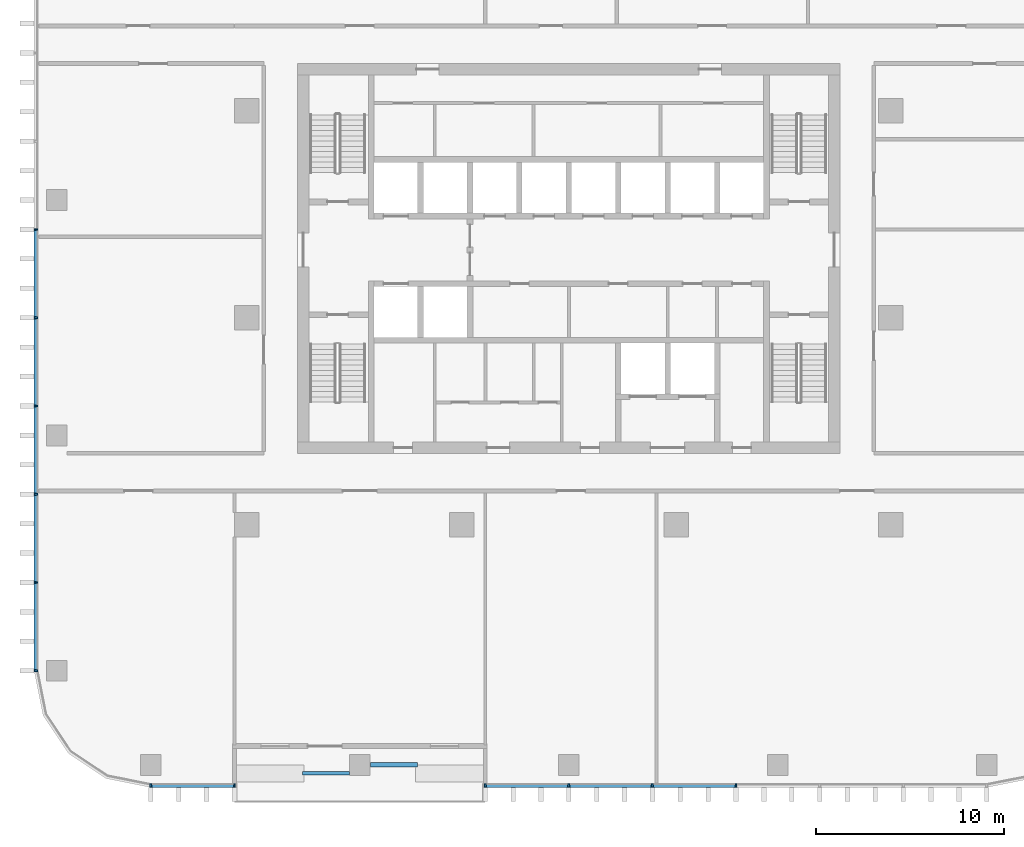
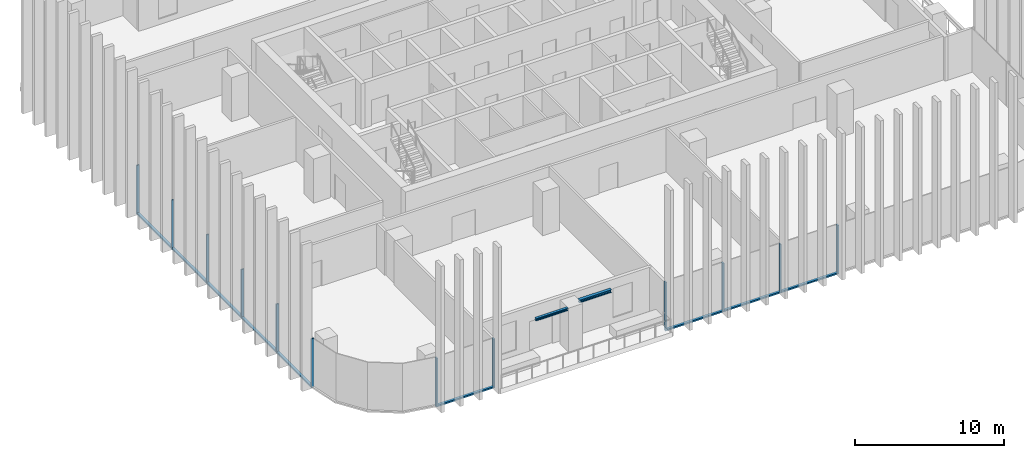
# One storey, part 2 of 15: 21 members, 2 beams, 3 elements without a shape of their own.
"""IFC4 building model written with IfcOpenShell, lengths in metres."""

import ifcopenshell
import ifcopenshell.guid

model = None  # the IFC model being written
_history = None  # IfcOwnerHistory: only IFC2X3 demands one
_inside = {}  # id of a spatial element -> (the spatial element, [elements in it])
_under = {}  # id of a project, library or spatial element -> (it, [spatial elements below it])
_declared = {}  # id of a project -> (the project, [libraries it declares])
_typed = {}  # id of a type object -> (the type object, [elements of that type])
_made_of = {}  # id of a material, layer set ... -> (it, [elements and type objects made of it])


def new_model(schema):
    """Start an empty IFC model of exactly this schema.

    Asked for "IFC4X3", IfcOpenShell would pick the latest addendum, in which some entities
    have other attributes; the version numbers below select the first issue.
    IFC2X3 requires an IfcOwnerHistory on every rooted entity: one is made here for all.
    """
    global model, _history
    if schema == "IFC4X3":
        model = ifcopenshell.file(schema_version=(4, 3, 0, 0))
    else:
        model = ifcopenshell.file(schema=schema)
    _inside.clear()
    _under.clear()
    _declared.clear()
    _typed.clear()
    _made_of.clear()
    _history = None
    if model.schema == "IFC2X3":
        org = make("IfcOrganization", Name="unknown")
        user = make(
            "IfcPersonAndOrganization",
            ThePerson=make("IfcPerson", FamilyName="unknown"),
            TheOrganization=org,
        )
        app = make(
            "IfcApplication",
            ApplicationDeveloper=org,
            Version="unknown",
            ApplicationFullName="unknown",
            ApplicationIdentifier="unknown",
        )
        _history = make(
            "IfcOwnerHistory",
            OwningUser=user,
            OwningApplication=app,
            ChangeAction="ADDED",
            CreationDate=0,
        )
    return model


def make(cls, **values):
    """One entity of the class cls with the attributes given. An attribute that is None is left unset."""
    return model.create_entity(
        cls, **{name: value for name, value in values.items() if value is not None}
    )


def rooted(cls, **values):
    """An entity with a GlobalId (a new one), such as an element, a storey or a relation."""
    return make(cls, GlobalId=ifcopenshell.guid.new(), OwnerHistory=_history, **values)


def si_unit(unit_type, name, prefix=None):
    """IfcSIUnit, for example si_unit("LENGTHUNIT", "METRE", prefix="MILLI")."""
    return make("IfcSIUnit", UnitType=unit_type, Prefix=prefix, Name=name)


def assignment(units):
    """IfcUnitAssignment: the units of a project."""
    return None if units is None else make("IfcUnitAssignment", Units=units)


def point(xyz):
    """IfcCartesianPoint."""
    return None if xyz is None else make("IfcCartesianPoint", Coordinates=xyz)


def direction(xyz):
    """IfcDirection."""
    return None if xyz is None else make("IfcDirection", DirectionRatios=xyz)


def frame(location, z_axis=None, x_axis=None):
    """IfcAxis2Placement3D, a coordinate frame: its origin and axes. An axis left out is left unset."""
    return make(
        "IfcAxis2Placement3D",
        Location=point(location),
        Axis=direction(z_axis),
        RefDirection=direction(x_axis),
    )


def frame_2d(location, x_axis=None):
    """IfcAxis2Placement2D, a coordinate frame in the plane: its origin and x axis."""
    return make(
        "IfcAxis2Placement2D", Location=point(location), RefDirection=direction(x_axis)
    )


def origin():
    """The frame at (0, 0, 0) with its axes left unset."""
    return frame((0.0, 0.0, 0.0))


def origin_2d():
    """The frame at (0, 0) in the plane with its x axis left unset."""
    return frame_2d((0.0, 0.0))


def place(relative_to, where):
    """IfcLocalPlacement: puts the frame where relative to a parent placement (None: the world)."""
    return make(
        "IfcLocalPlacement", PlacementRelTo=relative_to, RelativePlacement=where
    )


def context(
    kind, dimensions, precision=None, world=None, true_north=None, identifier=None
):
    """IfcGeometricRepresentationContext, for example the 3D "Model" context."""
    return make(
        "IfcGeometricRepresentationContext",
        ContextIdentifier=identifier,
        ContextType=kind,
        CoordinateSpaceDimension=dimensions,
        Precision=precision,
        WorldCoordinateSystem=world,
        TrueNorth=true_north,
    )


def subcontext(parent, identifier, kind, view, scale=None):
    """IfcGeometricRepresentationSubContext, for example "Body" below "Model"."""
    return make(
        "IfcGeometricRepresentationSubContext",
        ContextIdentifier=identifier,
        ContextType=kind,
        ParentContext=parent,
        TargetScale=scale,
        TargetView=view,
    )


def project(units=None, contexts=None):
    """IfcProject with its units and contexts."""
    return rooted(
        "IfcProject",
        Name="project",
        RepresentationContexts=contexts,
        UnitsInContext=assignment(units),
    )


def spatial(cls, under=None, at=None, **own):
    """A site, building, storey or space (cls), placed at a placement, below another one or the project."""
    s = rooted(cls, ObjectPlacement=at, **own)
    if under is not None:
        _under.setdefault(under.id(), (under, []))[1].append(s)
    return s


def profile(cls, at=None, kind="AREA", **sizes):
    """A parametric profile (cls). Its sizes go by their IFC names, for example OverallWidth=200.0."""
    return make(cls, ProfileType=kind, Position=at, **sizes)


def rectangle(**sizes):
    """IfcRectangleProfileDef."""
    return profile("IfcRectangleProfileDef", **sizes)


def i_section(**sizes):
    """IfcIShapeProfileDef."""
    return profile("IfcIShapeProfileDef", **sizes)


def extrude(swept, where, along, depth):
    """IfcExtrudedAreaSolid: the profile swept, set in the frame where, extruded along a direction by depth."""
    return make(
        "IfcExtrudedAreaSolid",
        SweptArea=swept,
        Position=where,
        ExtrudedDirection=direction(along),
        Depth=depth,
    )


def shape(context_of_items, identifier, shape_type, items):
    """IfcShapeRepresentation: the items that make up one representation, for example the "Body"."""
    return make(
        "IfcShapeRepresentation",
        ContextOfItems=context_of_items,
        RepresentationIdentifier=identifier,
        RepresentationType=shape_type,
        Items=items,
    )


def material(Name=None, Category=None):
    """IfcMaterial."""
    return make("IfcMaterial", Name=Name, Category=Category)


def material_profile(
    of_material, cross_section, Name=None, Category=None, Priority=None
):
    """IfcMaterialProfile: a cross section and its material."""
    return make(
        "IfcMaterialProfile",
        Name=Name,
        Material=of_material,
        Profile=cross_section,
        Priority=Priority,
        Category=Category,
    )


def profile_set(profiles, Name=None, composite=None):
    """IfcMaterialProfileSet."""
    return make(
        "IfcMaterialProfileSet",
        Name=Name,
        MaterialProfiles=profiles,
        CompositeProfile=composite,
    )


def made_of(thing, what):
    """Note that an element or type object is made of a material, layer set ...; save() writes the relation."""
    if what is not None:
        _made_of.setdefault(what.id(), (what, []))[1].append(thing)
    return thing


def type_object(cls, material=None, **own):
    """A type object (cls), such as IfcWallType, which elements share."""
    return made_of(rooted(cls, **own), material)


def element(
    cls,
    number,
    at=None,
    inside=None,
    cuts=None,
    type_object=None,
    material=None,
    context=None,
    identifier="Body",
    shape_type=None,
    held_by="IfcProductDefinitionShape",
    body=None,
    shapes=None,
    **own,
):
    """One element of the class cls, such as IfcWall. Its Tag is "e" and its number.

    at: its placement. inside: the storey or other place that contains it. cuts: it is an
    opening in that element (IfcRelVoidsElement). A single representation is given by context,
    identifier, shape_type and body (its items); several are given by shapes. held_by: the class
    of the entity that holds the representations. save() writes the other relations.
    """
    e = rooted(cls, Tag="e%d" % number, ObjectPlacement=at, **own)
    if body is not None:
        shapes = [shape(context, identifier, shape_type, body)]
    if shapes is not None:
        e.Representation = make(held_by, Representations=shapes)
    if inside is not None:
        _inside.setdefault(inside.id(), (inside, []))[1].append(e)
    if cuts is not None:
        rooted(
            "IfcRelVoidsElement", RelatingBuildingElement=cuts, RelatedOpeningElement=e
        )
    if type_object is not None:
        _typed.setdefault(type_object.id(), (type_object, []))[1].append(e)
    return made_of(e, material)


def aggregate(whole, parts):
    """IfcRelAggregates: a whole, such as a stair, and the parts it consists of."""
    return rooted("IfcRelAggregates", RelatingObject=whole, RelatedObjects=parts)


def save(model, path):
    """Write the relations noted so far, then the file.

    IfcRelAggregates (storeys below a building ...), IfcRelContainedInSpatialStructure (elements
    in a storey), IfcRelDefinesByType, IfcRelAssociatesMaterial and IfcRelDeclares: one each for
    every whole, place, type object, material and project.
    """
    for whole, parts in _under.values():
        aggregate(whole, parts)
    for where, things in _inside.values():
        rooted(
            "IfcRelContainedInSpatialStructure",
            RelatedElements=things,
            RelatingStructure=where,
        )
    for kind, things in _typed.values():
        rooted("IfcRelDefinesByType", RelatedObjects=things, RelatingType=kind)
    for what, things in _made_of.values():
        rooted("IfcRelAssociatesMaterial", RelatedObjects=things, RelatingMaterial=what)
    for by, libraries in _declared.values():
        rooted("IfcRelDeclares", RelatingContext=by, RelatedDefinitions=libraries)
    model.write(path)


model = new_model("IFC4")

# Units and contexts
model_context = context("Model", 3, precision=1e-05, world=origin(), true_north=direction((0.0, 1.0)))
body_context = subcontext(model_context, "Body", "Model", "MODEL_VIEW")
ifc_project = project(units=[si_unit("LENGTHUNIT", "METRE"), si_unit("AREAUNIT", "SQUARE_METRE"), si_unit("VOLUMEUNIT", "CUBIC_METRE"), si_unit("PLANEANGLEUNIT", "RADIAN"), si_unit("MASSUNIT", "GRAM", prefix="KILO")], contexts=[model_context])

# Site, building, storey
site_placement = place(None, origin())
site = spatial("IfcSite", under=ifc_project, at=site_placement, CompositionType="ELEMENT")
building_placement = place(site_placement, origin())
building = spatial("IfcBuilding", under=site, at=building_placement, Name="Mopane Tessera Tower", CompositionType="ELEMENT")
storey_placement = place(building_placement, frame((0.0, 0.0, 211.0)))
storey = spatial("IfcBuildingStorey", under=building, at=storey_placement, Name="L44", CompositionType="ELEMENT", Elevation=211.0)

# Curtain wall, members
ifc_material_1 = material(Name="Aluminium frame", Category="aluminium")
curtain_wall_type = type_object("IfcCurtainWallType", Name="Unitised curtain wall", PredefinedType="NOTDEFINED", material=ifc_material_1)
curtain_wall_1_placement = place(storey_placement, origin())
curtain_wall_1 = element("IfcCurtainWall", 1, at=curtain_wall_1_placement, inside=storey, type_object=curtain_wall_type, Name="e:cw:L44:S:0", PredefinedType="NOTDEFINED")
ifc_material_2 = material(Name="Aluminium frame", Category="aluminium")
ifc_material_profile_1 = material_profile(ifc_material_2, rectangle(XDim=0.10009765625, YDim=0.199951171875, at=origin_2d()))
ifc_profile_set_1 = profile_set([ifc_material_profile_1], Name="Aluminium frame")
member_type_1 = type_object("IfcMemberType", Name="Aluminium mullion 100 x 200", PredefinedType="MULLION", material=ifc_profile_set_1)
member_1_placement = place(storey_placement, frame((-22.199951171875, -24.85009765625, -0.39990234375), z_axis=(0.0, 0.0, 1.0), x_axis=(1.0, 0.0, 0.0)))
member_1 = element("IfcMember", 2, at=member_1_placement, type_object=member_type_1, Name="e:cw:L44:S:0:mu0", PredefinedType="MULLION", context=body_context, shape_type="SweptSolid", body=[
    extrude(rectangle(XDim=0.10009765625, YDim=0.199951171875, at=origin_2d()), origin(), (0.0, 0.0, 1.0), 4.0),
])
member_2_placement = place(storey_placement, frame((-17.760009765625, -24.85009765625, -0.39990234375), z_axis=(0.0, 0.0, 1.0), x_axis=(1.0, 0.0, 0.0)))
member_2 = element("IfcMember", 3, at=member_2_placement, type_object=member_type_1, Name="e:cw:L44:S:0:mu1", PredefinedType="MULLION", context=body_context, shape_type="SweptSolid", body=[
    extrude(rectangle(XDim=0.10009765625, YDim=0.199951171875, at=origin_2d()), origin(), (0.0, 0.0, 1.0), 4.0),
])

curtain_wall_2_placement = place(storey_placement, origin())
curtain_wall_2 = element("IfcCurtainWall", 4, at=curtain_wall_2_placement, inside=storey, type_object=curtain_wall_type, Name="e:cw:L44:S:4", PredefinedType="NOTDEFINED")
member_3_placement = place(storey_placement, frame((-4.43994140625, -24.85009765625, -0.39990234375), z_axis=(0.0, 0.0, 1.0), x_axis=(1.0, 0.0, 0.0)))
member_3 = element("IfcMember", 5, at=member_3_placement, type_object=member_type_1, Name="e:cw:L44:S:4:mu4", PredefinedType="MULLION", context=body_context, shape_type="SweptSolid", body=[
    extrude(rectangle(XDim=0.10009765625, YDim=0.199951171875, at=origin_2d()), origin(), (0.0, 0.0, 1.0), 4.0),
])
member_4_placement = place(storey_placement, frame((0.0, -24.85009765625, -0.39990234375), z_axis=(0.0, 0.0, 1.0), x_axis=(1.0, 0.0, 0.0)))
member_4 = element("IfcMember", 6, at=member_4_placement, type_object=member_type_1, Name="e:cw:L44:S:4:mu5", PredefinedType="MULLION", context=body_context, shape_type="SweptSolid", body=[
    extrude(rectangle(XDim=0.10009765625, YDim=0.199951171875, at=origin_2d()), origin(), (0.0, 0.0, 1.0), 4.0),
])
member_5_placement = place(storey_placement, frame((4.43994140625, -24.85009765625, -0.39990234375), z_axis=(0.0, 0.0, 1.0), x_axis=(1.0, 0.0, 0.0)))
member_5 = element("IfcMember", 7, at=member_5_placement, type_object=member_type_1, Name="e:cw:L44:S:4:mu6", PredefinedType="MULLION", context=body_context, shape_type="SweptSolid", body=[
    extrude(rectangle(XDim=0.10009765625, YDim=0.199951171875, at=origin_2d()), origin(), (0.0, 0.0, 1.0), 4.0),
])
member_6_placement = place(storey_placement, frame((8.8798828125, -24.85009765625, -0.39990234375), z_axis=(0.0, 0.0, 1.0), x_axis=(1.0, 0.0, 0.0)))
member_6 = element("IfcMember", 8, at=member_6_placement, type_object=member_type_1, Name="e:cw:L44:S:4:mu7", PredefinedType="MULLION", context=body_context, shape_type="SweptSolid", body=[
    extrude(rectangle(XDim=0.10009765625, YDim=0.199951171875, at=origin_2d()), origin(), (0.0, 0.0, 1.0), 4.0),
])

curtain_wall_3_placement = place(storey_placement, origin())
curtain_wall_3 = element("IfcCurtainWall", 9, at=curtain_wall_3_placement, inside=storey, type_object=curtain_wall_type, Name="e:cw:L44:W:0", PredefinedType="NOTDEFINED")
member_7_placement = place(storey_placement, frame((-28.300048828125, 4.6875, -0.39990234375), z_axis=(0.0, 0.0, 1.0), x_axis=(0.0, -1.0, 0.0)))
member_7 = element("IfcMember", 10, at=member_7_placement, type_object=member_type_1, Name="e:cw:L44:W:0:mu3", PredefinedType="MULLION", context=body_context, shape_type="SweptSolid", body=[
    extrude(rectangle(XDim=0.10009765625, YDim=0.199951171875, at=origin_2d()), origin(), (0.0, 0.0, 1.0), 4.0),
])
member_8_placement = place(storey_placement, frame((-28.300048828125, 0.0, -0.39990234375), z_axis=(0.0, 0.0, 1.0), x_axis=(0.0, -1.0, 0.0)))
member_8 = element("IfcMember", 11, at=member_8_placement, type_object=member_type_1, Name="e:cw:L44:W:0:mu4", PredefinedType="MULLION", context=body_context, shape_type="SweptSolid", body=[
    extrude(rectangle(XDim=0.10009765625, YDim=0.199951171875, at=origin_2d()), origin(), (0.0, 0.0, 1.0), 4.0),
])
member_9_placement = place(storey_placement, frame((-28.300048828125, -4.6875, -0.39990234375), z_axis=(0.0, 0.0, 1.0), x_axis=(0.0, -1.0, 0.0)))
member_9 = element("IfcMember", 12, at=member_9_placement, type_object=member_type_1, Name="e:cw:L44:W:0:mu5", PredefinedType="MULLION", context=body_context, shape_type="SweptSolid", body=[
    extrude(rectangle(XDim=0.10009765625, YDim=0.199951171875, at=origin_2d()), origin(), (0.0, 0.0, 1.0), 4.0),
])
member_10_placement = place(storey_placement, frame((-28.300048828125, -9.375, -0.39990234375), z_axis=(0.0, 0.0, 1.0), x_axis=(0.0, -1.0, 0.0)))
member_10 = element("IfcMember", 13, at=member_10_placement, type_object=member_type_1, Name="e:cw:L44:W:0:mu6", PredefinedType="MULLION", context=body_context, shape_type="SweptSolid", body=[
    extrude(rectangle(XDim=0.10009765625, YDim=0.199951171875, at=origin_2d()), origin(), (0.0, 0.0, 1.0), 4.0),
])
member_11_placement = place(storey_placement, frame((-28.300048828125, -14.0625, -0.39990234375), z_axis=(0.0, 0.0, 1.0), x_axis=(0.0, -1.0, 0.0)))
member_11 = element("IfcMember", 14, at=member_11_placement, type_object=member_type_1, Name="e:cw:L44:W:0:mu7", PredefinedType="MULLION", context=body_context, shape_type="SweptSolid", body=[
    extrude(rectangle(XDim=0.10009765625, YDim=0.199951171875, at=origin_2d()), origin(), (0.0, 0.0, 1.0), 4.0),
])
member_12_placement = place(storey_placement, frame((-28.300048828125, -18.75, -0.39990234375), z_axis=(0.0, 0.0, 1.0), x_axis=(0.0, -1.0, 0.0)))
member_12 = element("IfcMember", 15, at=member_12_placement, type_object=member_type_1, Name="e:cw:L44:W:0:mu8", PredefinedType="MULLION", context=body_context, shape_type="SweptSolid", body=[
    extrude(rectangle(XDim=0.10009765625, YDim=0.199951171875, at=origin_2d()), origin(), (0.0, 0.0, 1.0), 4.0),
])

# Member
ifc_material_3 = material(Name="Aluminium frame", Category="aluminium")
ifc_material_profile_2 = material_profile(ifc_material_3, rectangle(XDim=0.199951171875, YDim=0.1201171875, at=origin_2d()))
ifc_profile_set_2 = profile_set([ifc_material_profile_2], Name="Aluminium frame")
member_type_2 = type_object("IfcMemberType", Name="Aluminium transom 200 x 120", PredefinedType="USERDEFINED", material=ifc_profile_set_2)
member_13_placement = place(storey_placement, frame((-22.14990234375, -24.85009765625, -0.340087890625), z_axis=(1.0, 0.0, 0.0), x_axis=(0.0, 1.0, 0.0)))
member_13 = element("IfcMember", 16, at=member_13_placement, type_object=member_type_2, Name="e:cw:L44:S:0:tr0", ObjectType="TRANSOM", PredefinedType="USERDEFINED", context=body_context, shape_type="SweptSolid", body=[
    extrude(rectangle(XDim=0.199951171875, YDim=0.1201171875, at=origin_2d()), origin(), (0.0, 0.0, 1.0), 4.33984375),
])

aggregate(curtain_wall_1, [member_1, member_2, member_13])

member_14_placement = place(storey_placement, frame((-4.389892578125, -24.85009765625, -0.340087890625), z_axis=(1.0, 0.0, 0.0), x_axis=(0.0, 1.0, 0.0)))
member_14 = element("IfcMember", 17, at=member_14_placement, type_object=member_type_2, Name="e:cw:L44:S:4:tr4", ObjectType="TRANSOM", PredefinedType="USERDEFINED", context=body_context, shape_type="SweptSolid", body=[
    extrude(rectangle(XDim=0.199951171875, YDim=0.1201171875, at=origin_2d()), origin(), (0.0, 0.0, 1.0), 4.33984375),
])

member_15_placement = place(storey_placement, frame((0.050048828125, -24.85009765625, -0.340087890625), z_axis=(1.0, 0.0, 0.0), x_axis=(0.0, 1.0, 0.0)))
member_15 = element("IfcMember", 18, at=member_15_placement, type_object=member_type_2, Name="e:cw:L44:S:4:tr5", ObjectType="TRANSOM", PredefinedType="USERDEFINED", context=body_context, shape_type="SweptSolid", body=[
    extrude(rectangle(XDim=0.199951171875, YDim=0.1201171875, at=origin_2d()), origin(), (0.0, 0.0, 1.0), 4.33984375),
])

member_16_placement = place(storey_placement, frame((4.489990234375, -24.85009765625, -0.340087890625), z_axis=(1.0, 0.0, 0.0), x_axis=(0.0, 1.0, 0.0)))
member_16 = element("IfcMember", 19, at=member_16_placement, type_object=member_type_2, Name="e:cw:L44:S:4:tr6", ObjectType="TRANSOM", PredefinedType="USERDEFINED", context=body_context, shape_type="SweptSolid", body=[
    extrude(rectangle(XDim=0.199951171875, YDim=0.1201171875, at=origin_2d()), origin(), (0.0, 0.0, 1.0), 4.340087890625),
])

aggregate(curtain_wall_2, [member_3, member_4, member_5, member_6, member_14, member_15, member_16])

member_17_placement = place(storey_placement, frame((-28.300048828125, 4.637451171875, -0.340087890625), z_axis=(0.0, -1.0, 0.0), x_axis=(1.0, 0.0, 0.0)))
member_17 = element("IfcMember", 20, at=member_17_placement, type_object=member_type_2, Name="e:cw:L44:W:0:tr3", ObjectType="TRANSOM", PredefinedType="USERDEFINED", context=body_context, shape_type="SweptSolid", body=[
    extrude(rectangle(XDim=0.199951171875, YDim=0.1201171875, at=origin_2d()), origin(), (0.0, 0.0, 1.0), 4.58740234375),
])

member_18_placement = place(storey_placement, frame((-28.300048828125, -0.050048828125, -0.340087890625), z_axis=(0.0, -1.0, 0.0), x_axis=(1.0, 0.0, 0.0)))
member_18 = element("IfcMember", 21, at=member_18_placement, type_object=member_type_2, Name="e:cw:L44:W:0:tr4", ObjectType="TRANSOM", PredefinedType="USERDEFINED", context=body_context, shape_type="SweptSolid", body=[
    extrude(rectangle(XDim=0.199951171875, YDim=0.1201171875, at=origin_2d()), origin(), (0.0, 0.0, 1.0), 4.58740234375),
])

member_19_placement = place(storey_placement, frame((-28.300048828125, -4.737548828125, -0.340087890625), z_axis=(0.0, -1.0, 0.0), x_axis=(1.0, 0.0, 0.0)))
member_19 = element("IfcMember", 22, at=member_19_placement, type_object=member_type_2, Name="e:cw:L44:W:0:tr5", ObjectType="TRANSOM", PredefinedType="USERDEFINED", context=body_context, shape_type="SweptSolid", body=[
    extrude(rectangle(XDim=0.199951171875, YDim=0.1201171875, at=origin_2d()), origin(), (0.0, 0.0, 1.0), 4.58740234375),
])

member_20_placement = place(storey_placement, frame((-28.300048828125, -9.425048828125, -0.340087890625), z_axis=(0.0, -1.0, 0.0), x_axis=(1.0, 0.0, 0.0)))
member_20 = element("IfcMember", 23, at=member_20_placement, type_object=member_type_2, Name="e:cw:L44:W:0:tr6", ObjectType="TRANSOM", PredefinedType="USERDEFINED", context=body_context, shape_type="SweptSolid", body=[
    extrude(rectangle(XDim=0.199951171875, YDim=0.1201171875, at=origin_2d()), origin(), (0.0, 0.0, 1.0), 4.58740234375),
])

member_21_placement = place(storey_placement, frame((-28.300048828125, -14.112548828125, -0.340087890625), z_axis=(0.0, -1.0, 0.0), x_axis=(1.0, 0.0, 0.0)))
member_21 = element("IfcMember", 24, at=member_21_placement, type_object=member_type_2, Name="e:cw:L44:W:0:tr7", ObjectType="TRANSOM", PredefinedType="USERDEFINED", context=body_context, shape_type="SweptSolid", body=[
    extrude(rectangle(XDim=0.199951171875, YDim=0.1201171875, at=origin_2d()), origin(), (0.0, 0.0, 1.0), 4.58740234375),
])

aggregate(curtain_wall_3, [member_7, member_8, member_9, member_10, member_11, member_12, member_17, member_18, member_19, member_20, member_21])

# Beams
ifc_material_4 = material(Name="Structural steel S460", Category="steel")
ifc_material_profile_3 = material_profile(ifc_material_4, i_section(OverallWidth=0.239990234375, OverallDepth=0.239990234375, WebThickness=0.010009765625, FlangeThickness=0.01708984375, FilletRadius=0.02099609375, at=origin_2d()))
ifc_profile_set_3 = profile_set([ifc_material_profile_3], Name="Structural steel S460")
beam_type_1 = type_object("IfcBeamType", Name="Terrace spandrel beam HE 240 B", PredefinedType="SPANDREL", material=ifc_profile_set_3)
beam_1_placement = place(storey_placement, frame((-10.547119140625, -23.75, 3.47998046875), z_axis=(1.0, 0.0, 0.0), x_axis=(0.0, 1.0, 0.0)))
element("IfcBeam", 25, at=beam_1_placement, inside=storey, type_object=beam_type_1, Name="Terrace spandrel beam N1 L45", PredefinedType="SPANDREL", context=body_context, shape_type="SweptSolid", body=[
    extrude(i_section(OverallWidth=0.239990234375, OverallDepth=0.239990234375, WebThickness=0.010009765625, FlangeThickness=0.01708984375, FilletRadius=0.02099609375, at=origin_2d()), origin(), (0.0, 0.0, 1.0), 2.5),
])
ifc_material_5 = material(Name="Structural steel S460", Category="steel")
ifc_material_profile_4 = material_profile(ifc_material_5, i_section(OverallWidth=0.199951171875, OverallDepth=0.199951171875, WebThickness=0.009033203125, FlangeThickness=0.014892578125, FilletRadius=0.01806640625, at=origin_2d()))
ifc_profile_set_4 = profile_set([ifc_material_profile_4], Name="Structural steel S460")
beam_type_2 = type_object("IfcBeamType", Name="Terrace trimmer beam HE 200 B", PredefinedType="BEAM", material=ifc_profile_set_4)
beam_2_placement = place(storey_placement, frame((-11.653076171875, -24.18994140625, 3.5), z_axis=(-1.0, 0.0, 0.0), x_axis=(0.0, -1.0, 0.0)))
element("IfcBeam", 26, at=beam_2_placement, inside=storey, type_object=beam_type_2, Name="Terrace trimmer beam N1 L45", PredefinedType="BEAM", context=body_context, shape_type="SweptSolid", body=[
    extrude(i_section(OverallWidth=0.199951171875, OverallDepth=0.199951171875, WebThickness=0.009033203125, FlangeThickness=0.014892578125, FilletRadius=0.01806640625, at=origin_2d()), origin(), (0.0, 0.0, 1.0), 2.5),
])

save(model, "model.ifc")
